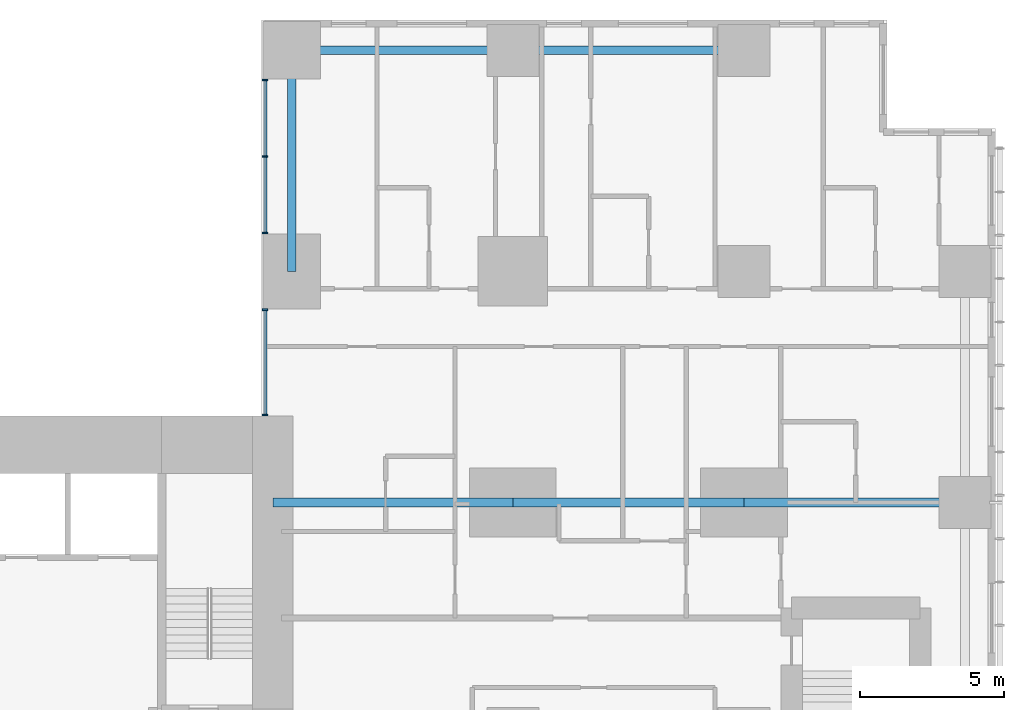
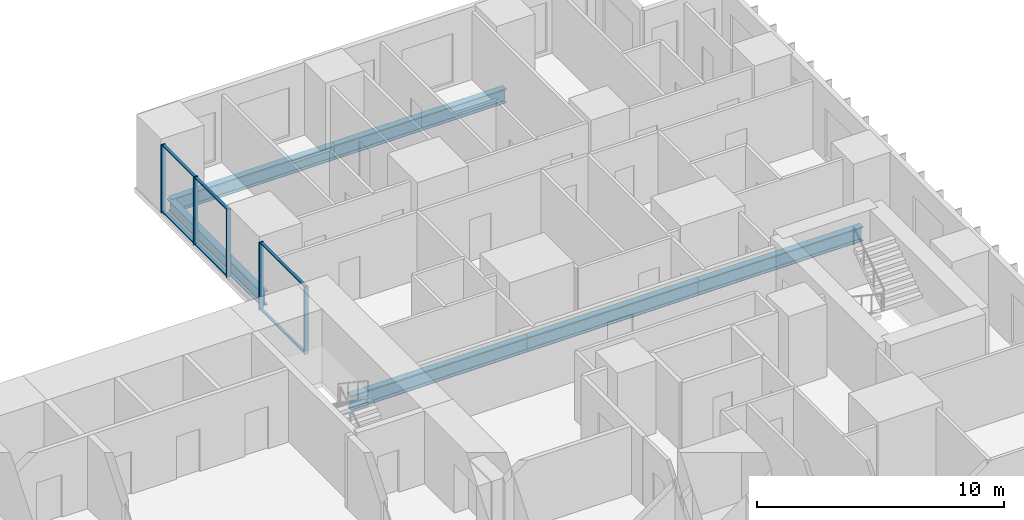
# One storey, part 5 of 20: 11 members, 6 beams, 2 elements without a shape of their own.
"""IFC4 building model written with IfcOpenShell, lengths in metres."""

from ifc_helpers import new_model, si_unit, direction, frame, origin, origin_2d, place, context, subcontext, project, spatial, rectangle, i_section, extrude, material, layer, layer_set, material_profile, profile_set, type_object, element, aggregate, save


model = new_model("IFC4")

# Units and contexts
model_context = context("Model", 3, precision=1e-05, world=origin(), true_north=direction((0.0, 1.0)))
body_context = subcontext(model_context, "Body", "Model", "MODEL_VIEW")
ifc_project = project(units=[si_unit("LENGTHUNIT", "METRE"), si_unit("AREAUNIT", "SQUARE_METRE"), si_unit("VOLUMEUNIT", "CUBIC_METRE"), si_unit("PLANEANGLEUNIT", "RADIAN"), si_unit("MASSUNIT", "GRAM", prefix="KILO")], contexts=[model_context])

# Site, building, storey
site_placement = place(None, origin())
site = spatial("IfcSite", under=ifc_project, at=site_placement, CompositionType="ELEMENT")
building_placement = place(site_placement, origin())
building = spatial("IfcBuilding", under=site, at=building_placement, Name="Cleftline Residences", CompositionType="ELEMENT")
storey_placement = place(building_placement, frame((0.0, 0.0, 196.60009765625)))
storey = spatial("IfcBuildingStorey", under=building, at=storey_placement, Name="L51", CompositionType="ELEMENT", Elevation=196.60009765625)

# Beams
ifc_material_1 = material(Name="Steel S355", Category="steel")
ifc_material_profile_1 = material_profile(ifc_material_1, i_section(OverallWidth=0.300048828125, OverallDepth=0.699951171875, WebThickness=0.01708984375, FlangeThickness=0.031982421875, FilletRadius=0.027099609375, at=origin_2d()))
ifc_profile_set_1 = profile_set([ifc_material_profile_1], Name="Steel S355")
beam_type_1 = type_object("IfcBeamType", Name="BEAM HEB 700", PredefinedType="BEAM", material=ifc_profile_set_1)
beam_1_placement = place(storey_placement, frame((58.0, 47.64990234375, -0.60009765625), z_axis=(-1.0, 0.0, 0.0), x_axis=(0.0, -1.0, 0.0)))
element("IfcBeam", 1, at=beam_1_placement, inside=storey, type_object=beam_type_1, Name="Edge beam", PredefinedType="BEAM", context=body_context, shape_type="SweptSolid", body=[
    extrude(i_section(OverallWidth=0.300048828125, OverallDepth=0.699951171875, WebThickness=0.01708984375, FlangeThickness=0.031982421875, FilletRadius=0.027099609375, at=origin_2d()), origin(), (0.0, 0.0, 1.0), 8.0),
])
for number, where, z_axis, x_axis, name in (
    (2, (50.0, 47.64990234375, -0.60009765625), (-1.0, 0.0, 0.0), (0.0, -1.0, 0.0), "Edge beam"),
    (3, (42.35009765625, 47.64990234375, -0.60009765625), (0.0, -1.0, 0.0), (1.0, 0.0, 0.0), "Edge beam"),
):
    element("IfcBeam", number, at=place(storey_placement, frame(where, z_axis=z_axis, x_axis=x_axis)), inside=storey, type_object=beam_type_1, Name=name, PredefinedType="BEAM", context=body_context, shape_type="SweptSolid", body=[
        extrude(i_section(OverallWidth=0.300048828125, OverallDepth=0.699951171875, WebThickness=0.01708984375, FlangeThickness=0.031982421875, FilletRadius=0.027099609375, at=origin_2d()), origin(), (0.0, 0.0, 1.0), 7.64990234375),
    ])
ifc_material_2 = material(Name="Steel S355", Category="steel")
ifc_material_profile_2 = material_profile(ifc_material_2, i_section(OverallWidth=0.303955078125, OverallDepth=0.716064453125, WebThickness=0.02099609375, FlangeThickness=0.0400390625, FilletRadius=0.027099609375, at=origin_2d()))
ifc_profile_set_2 = profile_set([ifc_material_profile_2], Name="Steel S355")
beam_type_2 = type_object("IfcBeamType", Name="BEAM HEM 700", PredefinedType="BEAM", material=ifc_profile_set_2)
beam_2_placement = place(storey_placement, frame((65.64990234375, 32.0, -0.608154296875), z_axis=(-1.0, 0.0, 0.0), x_axis=(0.0, -1.0, 0.0)))
element("IfcBeam", 4, at=beam_2_placement, inside=storey, type_object=beam_type_2, Name="Band beam", PredefinedType="BEAM", context=body_context, shape_type="SweptSolid", body=[
    extrude(i_section(OverallWidth=0.303955078125, OverallDepth=0.716064453125, WebThickness=0.02099609375, FlangeThickness=0.0400390625, FilletRadius=0.027099609375, at=origin_2d()), origin(), (0.0, 0.0, 1.0), 7.64990234375),
])
beam_3_placement = place(storey_placement, frame((58.0, 32.0, -0.608154296875), z_axis=(-1.0, 0.0, 0.0), x_axis=(0.0, -1.0, 0.0)))
element("IfcBeam", 5, at=beam_3_placement, inside=storey, type_object=beam_type_2, Name="Band beam", PredefinedType="BEAM", context=body_context, shape_type="SweptSolid", body=[
    extrude(i_section(OverallWidth=0.303955078125, OverallDepth=0.716064453125, WebThickness=0.02099609375, FlangeThickness=0.0400390625, FilletRadius=0.027099609375, at=origin_2d()), origin(), (0.0, 0.0, 1.0), 8.0),
])
beam_4_placement = place(storey_placement, frame((50.0, 32.0, -0.608154296875), z_axis=(-1.0, 0.0, 0.0), x_axis=(0.0, -1.0, 0.0)))
element("IfcBeam", 6, at=beam_4_placement, inside=storey, type_object=beam_type_2, Name="Band beam", PredefinedType="BEAM", context=body_context, shape_type="SweptSolid", body=[
    extrude(i_section(OverallWidth=0.303955078125, OverallDepth=0.716064453125, WebThickness=0.02099609375, FlangeThickness=0.0400390625, FilletRadius=0.027099609375, at=origin_2d()), origin(), (0.0, 0.0, 1.0), 8.300048828125),
])

# Curtain wall, members
ifc_material_3 = material(Name="Aluminium framed curtain wall", Category="aluminium")
ifc_layer = layer(ifc_material_3, 0.199951171875)
ifc_layer_set = layer_set([ifc_layer], Name="CW1 CLEFT GLAZING")
curtain_wall_type = type_object("IfcCurtainWallType", Name="CW1 CLEFT GLAZING", PredefinedType="NOTDEFINED", material=ifc_layer_set)
curtain_wall_1_placement = place(storey_placement, origin())
curtain_wall_1 = element("IfcCurtainWall", 7, at=curtain_wall_1_placement, inside=storey, type_object=curtain_wall_type, Name="Curtain wall CW1", PredefinedType="NOTDEFINED")
ifc_material_4 = material(Name="Aluminium mullion", Category="aluminium")
ifc_material_profile_3 = material_profile(ifc_material_4, rectangle(XDim=0.199951171875, YDim=0.06005859375, at=origin_2d()))
ifc_profile_set_3 = profile_set([ifc_material_profile_3], Name="Aluminium mullion")
member_type_1 = type_object("IfcMemberType", Name="CW1 MULLION", PredefinedType="MULLION", material=ifc_profile_set_3)
member_1_placement = place(storey_placement, frame((41.425048828125, 46.6201171875, 0.0), z_axis=(0.0, 0.0, 1.0), x_axis=(1.0, 0.0, 0.0)))
member_1 = element("IfcMember", 8, at=member_1_placement, type_object=member_type_1, Name="CW1 mullion 1", PredefinedType="MULLION", context=body_context, shape_type="SweptSolid", body=[
    extrude(rectangle(XDim=0.199951171875, YDim=0.06005859375, at=origin_2d()), origin(), (0.0, 0.0, 1.0), 3.349853515625),
])
member_2_placement = place(storey_placement, frame((41.425048828125, 43.97509765625, 0.0), z_axis=(0.0, 0.0, 1.0), x_axis=(1.0, 0.0, 0.0)))
member_2 = element("IfcMember", 9, at=member_2_placement, type_object=member_type_1, Name="CW1 mullion 2", PredefinedType="MULLION", context=body_context, shape_type="SweptSolid", body=[
    extrude(rectangle(XDim=0.199951171875, YDim=0.06005859375, at=origin_2d()), origin(), (0.0, 0.0, 1.0), 3.349853515625),
])
member_3_placement = place(storey_placement, frame((41.425048828125, 41.330078125, 0.0), z_axis=(0.0, 0.0, 1.0), x_axis=(1.0, 0.0, 0.0)))
member_3 = element("IfcMember", 10, at=member_3_placement, type_object=member_type_1, Name="CW1 mullion 3", PredefinedType="MULLION", context=body_context, shape_type="SweptSolid", body=[
    extrude(rectangle(XDim=0.199951171875, YDim=0.06005859375, at=origin_2d()), origin(), (0.0, 0.0, 1.0), 3.349853515625),
])

curtain_wall_2_placement = place(storey_placement, origin())
curtain_wall_2 = element("IfcCurtainWall", 11, at=curtain_wall_2_placement, inside=storey, type_object=curtain_wall_type, Name="Curtain wall CW1", PredefinedType="NOTDEFINED")
member_4_placement = place(storey_placement, frame((41.425048828125, 38.669921875, 0.0), z_axis=(0.0, 0.0, 1.0), x_axis=(1.0, 0.0, 0.0)))
member_4 = element("IfcMember", 12, at=member_4_placement, type_object=member_type_1, Name="CW1 mullion 1", PredefinedType="MULLION", context=body_context, shape_type="SweptSolid", body=[
    extrude(rectangle(XDim=0.199951171875, YDim=0.06005859375, at=origin_2d()), origin(), (0.0, 0.0, 1.0), 3.349853515625),
])
member_5_placement = place(storey_placement, frame((41.425048828125, 35.030029296875, 0.0), z_axis=(0.0, 0.0, 1.0), x_axis=(1.0, 0.0, 0.0)))
member_5 = element("IfcMember", 13, at=member_5_placement, type_object=member_type_1, Name="CW1 mullion 2", PredefinedType="MULLION", context=body_context, shape_type="SweptSolid", body=[
    extrude(rectangle(XDim=0.199951171875, YDim=0.06005859375, at=origin_2d()), origin(), (0.0, 0.0, 1.0), 3.349853515625),
])

# Member
ifc_material_5 = material(Name="Aluminium transom", Category="aluminium")
ifc_material_profile_4 = material_profile(ifc_material_5, rectangle(XDim=0.1201171875, YDim=0.06005859375, at=origin_2d()))
ifc_profile_set_4 = profile_set([ifc_material_profile_4], Name="Aluminium transom")
member_type_2 = type_object("IfcMemberType", Name="CW1 TRANSOM", PredefinedType="USERDEFINED", material=ifc_profile_set_4)
member_6_placement = place(storey_placement, frame((41.425048828125, 46.590087890625, 0.02978515625), z_axis=(0.0, -1.0, 0.0), x_axis=(1.0, 0.0, 0.0)))
member_6 = element("IfcMember", 14, at=member_6_placement, type_object=member_type_2, Name="CW1 transom 1.1", ObjectType="TRANSOM", PredefinedType="USERDEFINED", context=body_context, shape_type="SweptSolid", body=[
    extrude(rectangle(XDim=0.1201171875, YDim=0.06005859375, at=origin_2d()), origin(), (0.0, 0.0, 1.0), 2.585205078125),
])

member_7_placement = place(storey_placement, frame((41.425048828125, 46.590087890625, 3.31982421875), z_axis=(0.0, -1.0, 0.0), x_axis=(1.0, 0.0, 0.0)))
member_7 = element("IfcMember", 15, at=member_7_placement, type_object=member_type_2, Name="CW1 transom 1.2", ObjectType="TRANSOM", PredefinedType="USERDEFINED", context=body_context, shape_type="SweptSolid", body=[
    extrude(rectangle(XDim=0.1201171875, YDim=0.06005859375, at=origin_2d()), origin(), (0.0, 0.0, 1.0), 2.585205078125),
])

member_8_placement = place(storey_placement, frame((41.425048828125, 43.945068359375, 0.02978515625), z_axis=(0.0, -1.0, 0.0), x_axis=(1.0, 0.0, 0.0)))
member_8 = element("IfcMember", 16, at=member_8_placement, type_object=member_type_2, Name="CW1 transom 2.1", ObjectType="TRANSOM", PredefinedType="USERDEFINED", context=body_context, shape_type="SweptSolid", body=[
    extrude(rectangle(XDim=0.1201171875, YDim=0.06005859375, at=origin_2d()), origin(), (0.0, 0.0, 1.0), 2.5849609375),
])

member_9_placement = place(storey_placement, frame((41.425048828125, 43.945068359375, 3.31982421875), z_axis=(0.0, -1.0, 0.0), x_axis=(1.0, 0.0, 0.0)))
member_9 = element("IfcMember", 17, at=member_9_placement, type_object=member_type_2, Name="CW1 transom 2.2", ObjectType="TRANSOM", PredefinedType="USERDEFINED", context=body_context, shape_type="SweptSolid", body=[
    extrude(rectangle(XDim=0.1201171875, YDim=0.06005859375, at=origin_2d()), origin(), (0.0, 0.0, 1.0), 2.5849609375),
])

aggregate(curtain_wall_1, [member_1, member_2, member_3, member_6, member_7, member_8, member_9])

member_10_placement = place(storey_placement, frame((41.425048828125, 38.639892578125, 0.02978515625), z_axis=(0.0, -1.0, 0.0), x_axis=(1.0, 0.0, 0.0)))
member_10 = element("IfcMember", 18, at=member_10_placement, type_object=member_type_2, Name="CW1 transom 1.1", ObjectType="TRANSOM", PredefinedType="USERDEFINED", context=body_context, shape_type="SweptSolid", body=[
    extrude(rectangle(XDim=0.1201171875, YDim=0.06005859375, at=origin_2d()), origin(), (0.0, 0.0, 1.0), 3.579833984375),
])

member_11_placement = place(storey_placement, frame((41.425048828125, 38.639892578125, 3.31982421875), z_axis=(0.0, -1.0, 0.0), x_axis=(1.0, 0.0, 0.0)))
member_11 = element("IfcMember", 19, at=member_11_placement, type_object=member_type_2, Name="CW1 transom 1.2", ObjectType="TRANSOM", PredefinedType="USERDEFINED", context=body_context, shape_type="SweptSolid", body=[
    extrude(rectangle(XDim=0.1201171875, YDim=0.06005859375, at=origin_2d()), origin(), (0.0, 0.0, 1.0), 3.579833984375),
])

aggregate(curtain_wall_2, [member_4, member_5, member_10, member_11])

save(model, "model.ifc")
